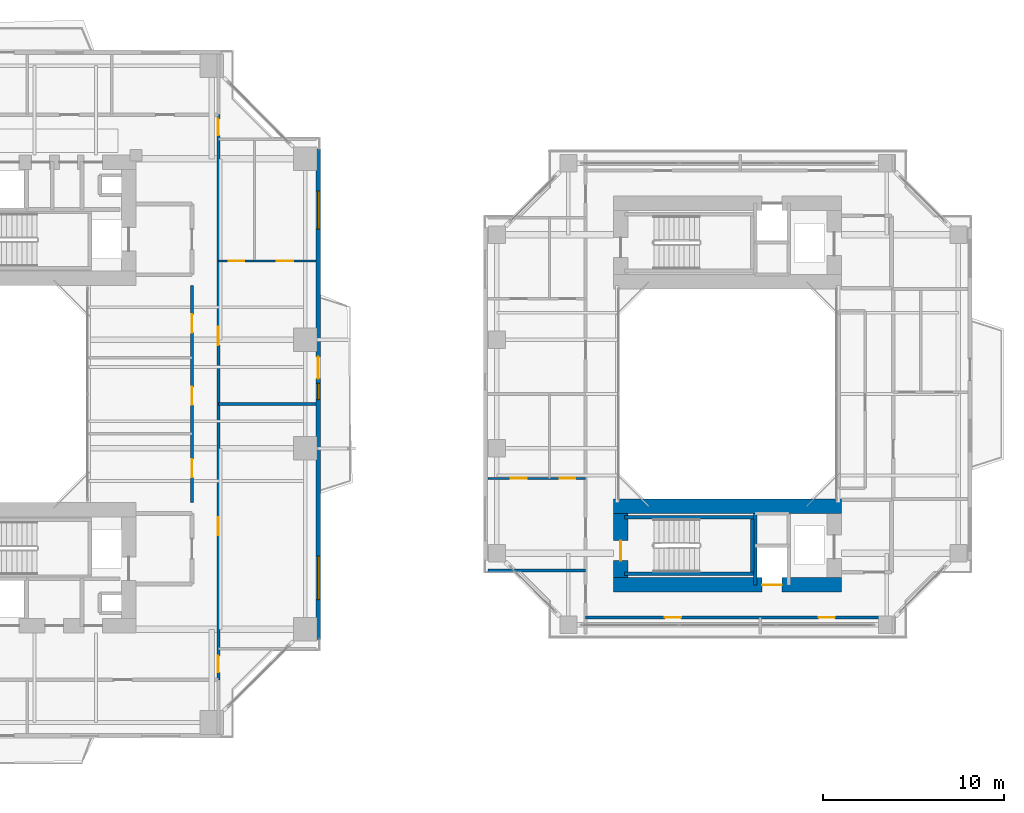
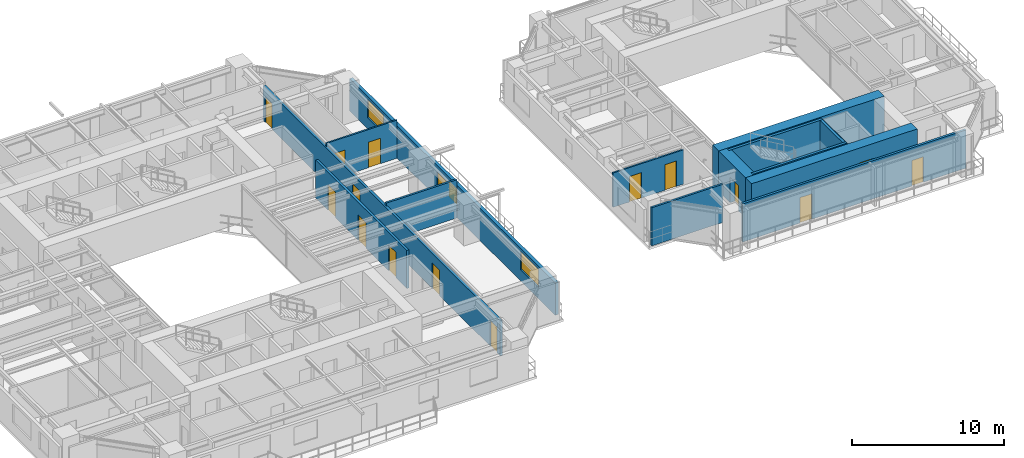
# One storey, part 15 of 23: 16 doors, 15 walls, 3 windows, 19 openings.
"""IFC4 building model written with IfcOpenShell, lengths in metres."""

from ifc_helpers import new_model, si_unit, direction, frame, frame_2d, origin, place, context, subcontext, project, spatial, rectangle, extrude, source, transform, mapped, material, layer, layer_set, type_object, element, fill, save


model = new_model("IFC4")

# Units and contexts
model_context = context("Model", 3, precision=1e-05, world=origin(), true_north=direction((0.0, 1.0)))
body_context = subcontext(model_context, "Body", "Model", "MODEL_VIEW")
ifc_project = project(units=[si_unit("LENGTHUNIT", "METRE"), si_unit("AREAUNIT", "SQUARE_METRE"), si_unit("VOLUMEUNIT", "CUBIC_METRE"), si_unit("PLANEANGLEUNIT", "RADIAN"), si_unit("MASSUNIT", "GRAM", prefix="KILO"), si_unit("THERMODYNAMICTEMPERATUREUNIT", "KELVIN"), si_unit("POWERUNIT", "WATT")], contexts=[model_context])

# Site, building, storey
site_placement = place(None, origin())
site = spatial("IfcSite", under=ifc_project, at=site_placement, CompositionType="ELEMENT")
building_placement = place(site_placement, origin())
building = spatial("IfcBuilding", under=site, at=building_placement, Name="Qiaomeng Ring Towers", CompositionType="ELEMENT")
storey_placement = place(building_placement, frame((0.0, 0.0, 60.0)))
storey = spatial("IfcBuildingStorey", under=building, at=storey_placement, Name="L16", CompositionType="ELEMENT", Elevation=60.0)

# Wall, openings, windows, door
ifc_material_1 = material(Name="Precast concrete C40", Category="concrete")
ifc_layer_1 = layer(ifc_material_1, 0.25, Name="Precast concrete C40")
ifc_layer_set_1 = layer_set([ifc_layer_1], Name="Precast concrete C40")
wall_type_1 = type_object("IfcWallType", Name="ARC-WL-EW1", PredefinedType="STANDARD", material=ifc_layer_set_1)
wall_1_placement = place(storey_placement, frame((37.875, 9.449951171875, 0.0), z_axis=(0.0, 0.0, 1.0), x_axis=(0.0, 1.0, 0.0)))
wall_1 = element("IfcWall", 1, at=wall_1_placement, inside=storey, type_object=wall_type_1, Name="L16 Tower 1 E Exterior Wall", PredefinedType="STANDARD", context=body_context, shape_type="SweptSolid", body=[
    extrude(rectangle(XDim=27.10009765625, YDim=0.25, at=frame_2d((13.550048828125, 0.0))), origin(), (0.0, 0.0, 1.0), 2.610107421875),
])
opening_1_placement = place(wall_1_placement, frame((14.39990234375, 0.0, 0.0)))
opening_1 = element("IfcOpeningElement", 2, at=opening_1_placement, cuts=wall_1, Name="Opening BD1", PredefinedType="OPENING", context=body_context, shape_type="SweptSolid", body=[
    extrude(rectangle(XDim=1.199951171875, YDim=2.10009765625, at=frame_2d((0.60009765625, 1.050048828125))), frame((0.0, 0.135009765625, 0.0), z_axis=(0.0, -1.0, 0.0), x_axis=(1.0, 0.0, 0.0)), (0.0, 0.0, 1.0), 0.27001953125),
])
opening_2_placement = place(wall_1_placement, frame((2.18798828125, 0.0, 0.89990234375)))
opening_2 = element("IfcOpeningElement", 3, at=opening_2_placement, cuts=wall_1, Name="Opening WN6", PredefinedType="OPENING", context=body_context, shape_type="SweptSolid", body=[
    extrude(rectangle(XDim=2.39990234375, YDim=1.47998046875, at=frame_2d((1.199951171875, 0.739990234375))), frame((0.0, 0.135009765625, 0.0), z_axis=(0.0, -1.0, 0.0), x_axis=(1.0, 0.0, 0.0)), (0.0, 0.0, 1.0), 0.27001953125),
])
opening_3_placement = place(wall_1_placement, frame((22.6630859375, 0.0, 0.89990234375)))
opening_3 = element("IfcOpeningElement", 4, at=opening_3_placement, cuts=wall_1, Name="Opening WN4", PredefinedType="OPENING", context=body_context, shape_type="SweptSolid", body=[
    extrude(rectangle(XDim=2.10009765625, YDim=1.47998046875, at=frame_2d((1.050048828125, 0.739990234375))), frame((0.0, 0.135009765625, 0.0), z_axis=(0.0, -1.0, 0.0), x_axis=(1.0, 0.0, 0.0)), (0.0, 0.0, 1.0), 0.27001953125),
])
opening_4_placement = place(wall_1_placement, frame((13.235107421875, 0.0, 0.89990234375)))
opening_4 = element("IfcOpeningElement", 5, at=opening_4_placement, cuts=wall_1, Name="Opening WN5", PredefinedType="OPENING", context=body_context, shape_type="SweptSolid", body=[
    extrude(rectangle(XDim=0.89990234375, YDim=1.199951171875, at=frame_2d((0.449951171875, 0.60009765625))), frame((0.0, 0.135009765625, 0.0), z_axis=(0.0, -1.0, 0.0), x_axis=(1.0, 0.0, 0.0)), (0.0, 0.0, 1.0), 0.27001953125),
])
ifc_material_2 = material(Name="Low-E dark-grey laminated double glazing", Category="glass")
window_type_1 = type_object("IfcWindowType", Name="ARC-WN-4", PartitioningType="TRIPLE_PANEL_VERTICAL", PredefinedType="WINDOW", material=ifc_material_2)
shared_shape_1 = source(origin(), body_context, "Body", "SweptSolid", [
    extrude(rectangle(XDim=2.10009765625, YDim=1.47998046875, at=frame_2d((1.050048828125, 0.739990234375))), frame((0.0, 0.030029296875, 0.0), z_axis=(0.0, -1.0, 0.0), x_axis=(1.0, 0.0, 0.0)), (0.0, 0.0, 1.0), 0.06005859375),
])
window_1_placement = place(opening_3_placement, origin())
window_1 = element("IfcWindow", 6, at=window_1_placement, inside=storey, type_object=window_type_1, Name="L16 Exterior Window WN4", OverallHeight=1.47998046875, OverallWidth=2.10009765625, PartitioningType="TRIPLE_PANEL_VERTICAL", PredefinedType="WINDOW", context=body_context, shape_type="MappedRepresentation", body=[
    mapped(shared_shape_1, transform((0.0, 0.0, 0.0), x_axis=(1.0, 0.0, 0.0), y_axis=(0.0, 1.0, 0.0), z_axis=(0.0, 0.0, 1.0), scale=1.0)),
])
fill(opening_3, window_1)
window_type_2 = type_object("IfcWindowType", Name="ARC-WN-6", PartitioningType="TRIPLE_PANEL_VERTICAL", PredefinedType="WINDOW", material=ifc_material_2)
shared_shape_2 = source(origin(), body_context, "Body", "SweptSolid", [
    extrude(rectangle(XDim=2.39990234375, YDim=1.47998046875, at=frame_2d((1.199951171875, 0.739990234375))), frame((0.0, 0.030029296875, 0.0), z_axis=(0.0, -1.0, 0.0), x_axis=(1.0, 0.0, 0.0)), (0.0, 0.0, 1.0), 0.06005859375),
])
window_2_placement = place(opening_2_placement, origin())
window_2 = element("IfcWindow", 7, at=window_2_placement, inside=storey, type_object=window_type_2, Name="L16 Exterior Window WN6", OverallHeight=1.47998046875, OverallWidth=2.39990234375, PartitioningType="TRIPLE_PANEL_VERTICAL", PredefinedType="WINDOW", context=body_context, shape_type="MappedRepresentation", body=[
    mapped(shared_shape_2, transform((0.0, 0.0, 0.0), x_axis=(1.0, 0.0, 0.0), y_axis=(0.0, 1.0, 0.0), z_axis=(0.0, 0.0, 1.0), scale=1.0)),
])
fill(opening_2, window_2)
door_type_1 = type_object("IfcDoorType", Name="ARC-DR-BD1", OperationType="NOTDEFINED", PredefinedType="DOOR", material=ifc_material_2)
shared_shape_3 = source(origin(), body_context, "Body", "SweptSolid", [
    extrude(rectangle(XDim=1.199951171875, YDim=2.10009765625, at=frame_2d((0.60009765625, 1.050048828125))), frame((0.0, 0.02490234375, 0.0), z_axis=(0.0, -1.0, 0.0), x_axis=(1.0, 0.0, 0.0)), (0.0, 0.0, 1.0), 0.050048828125),
])
door_1_placement = place(opening_1_placement, origin())
door_1 = element("IfcDoor", 8, at=door_1_placement, inside=storey, type_object=door_type_1, Name="L16 E Balcony Glazed Door", OperationType="SINGLE_SWING_LEFT", OverallHeight=2.10009765625, OverallWidth=1.199951171875, PredefinedType="DOOR", context=body_context, shape_type="MappedRepresentation", body=[
    mapped(shared_shape_3, transform((0.0, 0.0, 0.0), x_axis=(1.0, 0.0, 0.0), y_axis=(0.0, 1.0, 0.0), z_axis=(0.0, 0.0, 1.0), scale=1.0)),
])
fill(opening_1, door_1)
window_type_3 = type_object("IfcWindowType", Name="ARC-WN-5", PartitioningType="SINGLE_PANEL", PredefinedType="WINDOW", material=ifc_material_2)
shared_shape_4 = source(origin(), body_context, "Body", "SweptSolid", [
    extrude(rectangle(XDim=0.89990234375, YDim=1.199951171875, at=frame_2d((0.449951171875, 0.60009765625))), frame((0.0, 0.030029296875, 0.0), z_axis=(0.0, -1.0, 0.0), x_axis=(1.0, 0.0, 0.0)), (0.0, 0.0, 1.0), 0.06005859375),
])
window_3_placement = place(opening_4_placement, origin())
window_3 = element("IfcWindow", 9, at=window_3_placement, inside=storey, type_object=window_type_3, Name="L16 Exterior Window WN5", OverallHeight=1.199951171875, OverallWidth=0.89990234375, PartitioningType="SINGLE_PANEL", PredefinedType="WINDOW", context=body_context, shape_type="MappedRepresentation", body=[
    mapped(shared_shape_4, transform((0.0, 0.0, 0.0), x_axis=(1.0, 0.0, 0.0), y_axis=(0.0, 1.0, 0.0), z_axis=(0.0, 0.0, 1.0), scale=1.0)),
])
fill(opening_4, window_3)

# Wall, openings, doors
ifc_material_3 = material(Name="Autoclaved aerated concrete block", Category="concrete")
ifc_layer_2 = layer(ifc_material_3, 0.179931640625, Name="Autoclaved aerated concrete block")
ifc_layer_set_2 = layer_set([ifc_layer_2], Name="Autoclaved aerated concrete block")
wall_type_2 = type_object("IfcWallType", Name="ARC-WL-PW2", PredefinedType="PARTITIONING", material=ifc_layer_set_2)
wall_2_placement = place(storey_placement, frame((32.360107421875, 7.2099609375, 0.0), z_axis=(0.0, 0.0, 1.0), x_axis=(0.0, 1.0, 0.0)))
wall_2 = element("IfcWall", 10, at=wall_2_placement, inside=storey, type_object=wall_type_2, Name="L16 Interior Wall PW2", PredefinedType="PARTITIONING", context=body_context, shape_type="SweptSolid", body=[
    extrude(rectangle(XDim=31.22998046875, YDim=0.179931640625, at=frame_2d((15.614990234375, 0.0))), origin(), (0.0, 0.0, 1.0), 2.821044921875),
])
opening_5_placement = place(wall_2_placement, frame((30.090087890625, 0.0, 0.0)))
opening_5 = element("IfcOpeningElement", 11, at=opening_5_placement, cuts=wall_2, Name="Opening ID1", PredefinedType="OPENING", context=body_context, shape_type="SweptSolid", body=[
    extrude(rectangle(XDim=0.89990234375, YDim=2.050048828125, at=frame_2d((0.449951171875, 1.02490234375))), frame((0.0, 0.099853515625, 0.0), z_axis=(0.0, -1.0, 0.0), x_axis=(1.0, 0.0, 0.0)), (0.0, 0.0, 1.0), 0.199951171875),
])
opening_6_placement = place(wall_2_placement, frame((0.4150390625, 0.0, 0.0)))
opening_6 = element("IfcOpeningElement", 12, at=opening_6_placement, cuts=wall_2, Name="Opening ID1", PredefinedType="OPENING", context=body_context, shape_type="SweptSolid", body=[
    extrude(rectangle(XDim=0.89990234375, YDim=2.050048828125, at=frame_2d((0.449951171875, 1.02490234375))), frame((0.0, 0.099853515625, 0.0), z_axis=(0.0, -1.0, 0.0), x_axis=(1.0, 0.0, 0.0)), (0.0, 0.0, 1.0), 0.199951171875),
])
opening_7_placement = place(wall_2_placement, frame((7.97509765625, 0.0, 0.0)))
opening_7 = element("IfcOpeningElement", 13, at=opening_7_placement, cuts=wall_2, Name="Opening FD4", PredefinedType="OPENING", context=body_context, shape_type="SweptSolid", body=[
    extrude(rectangle(XDim=1.0, YDim=2.050048828125, at=frame_2d((0.5, 1.02490234375))), frame((0.0, 0.099853515625, 0.0), z_axis=(0.0, -1.0, 0.0), x_axis=(1.0, 0.0, 0.0)), (0.0, 0.0, 1.0), 0.199951171875),
])
opening_8_placement = place(wall_2_placement, frame((18.5, 0.0, 0.0)))
opening_8 = element("IfcOpeningElement", 14, at=opening_8_placement, cuts=wall_2, Name="Opening FD4", PredefinedType="OPENING", context=body_context, shape_type="SweptSolid", body=[
    extrude(rectangle(XDim=1.0, YDim=2.050048828125, at=frame_2d((0.5, 1.02490234375))), frame((0.0, 0.099853515625, 0.0), z_axis=(0.0, -1.0, 0.0), x_axis=(1.0, 0.0, 0.0)), (0.0, 0.0, 1.0), 0.199951171875),
])
ifc_material_4 = material(Name="Engineered fire-rated oak timber", Category="wood")
door_type_2 = type_object("IfcDoorType", Name="ARC-DR-FD4", OperationType="NOTDEFINED", PredefinedType="DOOR", material=ifc_material_4)
shared_shape_5 = source(origin(), body_context, "Body", "SweptSolid", [
    extrude(rectangle(XDim=1.0, YDim=2.050048828125, at=frame_2d((0.5, 1.02490234375))), frame((0.0, 0.02490234375, 0.0), z_axis=(0.0, -1.0, 0.0), x_axis=(1.0, 0.0, 0.0)), (0.0, 0.0, 1.0), 0.050048828125),
])
door_2_placement = place(opening_7_placement, origin())
door_2 = element("IfcDoor", 15, at=door_2_placement, inside=storey, type_object=door_type_2, Name="L16 Door FD4", OperationType="SINGLE_SWING_RIGHT", OverallHeight=2.050048828125, OverallWidth=1.0, PredefinedType="DOOR", context=body_context, shape_type="MappedRepresentation", body=[
    mapped(shared_shape_5, transform((0.0, 0.0, 0.0), x_axis=(1.0, 0.0, 0.0), y_axis=(0.0, 1.0, 0.0), z_axis=(0.0, 0.0, 1.0), scale=1.0)),
])
fill(opening_7, door_2)
door_3_placement = place(opening_8_placement, origin())
door_3 = element("IfcDoor", 16, at=door_3_placement, inside=storey, type_object=door_type_2, Name="L16 Door FD4", OperationType="SINGLE_SWING_LEFT", OverallHeight=2.050048828125, OverallWidth=1.0, PredefinedType="DOOR", context=body_context, shape_type="MappedRepresentation", body=[
    mapped(shared_shape_5, transform((0.0, 0.0, 0.0), x_axis=(1.0, 0.0, 0.0), y_axis=(0.0, 1.0, 0.0), z_axis=(0.0, 0.0, 1.0), scale=1.0)),
])
fill(opening_8, door_3)
ifc_material_5 = material(Name="Engineered oak timber", Category="wood")
door_type_3 = type_object("IfcDoorType", Name="ARC-DR-ID1", OperationType="NOTDEFINED", PredefinedType="DOOR", material=ifc_material_5)
shared_shape_6 = source(origin(), body_context, "Body", "SweptSolid", [
    extrude(rectangle(XDim=0.89990234375, YDim=2.050048828125, at=frame_2d((0.449951171875, 1.02490234375))), frame((0.0, 0.02490234375, 0.0), z_axis=(0.0, -1.0, 0.0), x_axis=(1.0, 0.0, 0.0)), (0.0, 0.0, 1.0), 0.050048828125),
])
door_4_placement = place(opening_5_placement, origin())
door_4 = element("IfcDoor", 17, at=door_4_placement, inside=storey, type_object=door_type_3, Name="L16 Door ID1", OperationType="SINGLE_SWING_RIGHT", OverallHeight=2.050048828125, OverallWidth=0.89990234375, PredefinedType="DOOR", context=body_context, shape_type="MappedRepresentation", body=[
    mapped(shared_shape_6, transform((0.0, 0.0, 0.0), x_axis=(1.0, 0.0, 0.0), y_axis=(0.0, 1.0, 0.0), z_axis=(0.0, 0.0, 1.0), scale=1.0)),
])
fill(opening_5, door_4)
door_5_placement = place(opening_6_placement, origin())
door_5 = element("IfcDoor", 18, at=door_5_placement, inside=storey, type_object=door_type_3, Name="L16 Door ID1", OperationType="SINGLE_SWING_LEFT", OverallHeight=2.050048828125, OverallWidth=0.89990234375, PredefinedType="DOOR", context=body_context, shape_type="MappedRepresentation", body=[
    mapped(shared_shape_6, transform((0.0, 0.0, 0.0), x_axis=(1.0, 0.0, 0.0), y_axis=(0.0, 1.0, 0.0), z_axis=(0.0, 0.0, 1.0), scale=1.0)),
])
fill(opening_6, door_5)

wall_3_placement = place(storey_placement, frame((30.89990234375, 17.0, 0.0), z_axis=(0.0, 0.0, 1.0), x_axis=(0.0, 1.0, 0.0)))
wall_3 = element("IfcWall", 19, at=wall_3_placement, inside=storey, type_object=wall_type_2, Name="L16 Interior Wall PW2", PredefinedType="PARTITIONING", context=body_context, shape_type="SweptSolid", body=[
    extrude(rectangle(XDim=12.0, YDim=0.179931640625, at=frame_2d((6.0, 0.0))), origin(), (0.0, 0.0, 1.0), 3.070068359375),
])
opening_9_placement = place(wall_3_placement, frame((1.39990234375, 0.0, 0.0)))
opening_9 = element("IfcOpeningElement", 20, at=opening_9_placement, cuts=wall_3, Name="Opening FD4", PredefinedType="OPENING", context=body_context, shape_type="SweptSolid", body=[
    extrude(rectangle(XDim=1.0, YDim=2.050048828125, at=frame_2d((0.5, 1.02490234375))), frame((0.0, 0.099853515625, 0.0), z_axis=(0.0, -1.0, 0.0), x_axis=(1.0, 0.0, 0.0)), (0.0, 0.0, 1.0), 0.199951171875),
])
opening_10_placement = place(wall_3_placement, frame((5.39990234375, 0.0, 0.0)))
opening_10 = element("IfcOpeningElement", 21, at=opening_10_placement, cuts=wall_3, Name="Opening FD4", PredefinedType="OPENING", context=body_context, shape_type="SweptSolid", body=[
    extrude(rectangle(XDim=1.0, YDim=2.050048828125, at=frame_2d((0.5, 1.02490234375))), frame((0.0, 0.099853515625, 0.0), z_axis=(0.0, -1.0, 0.0), x_axis=(1.0, 0.0, 0.0)), (0.0, 0.0, 1.0), 0.199951171875),
])
opening_11_placement = place(wall_3_placement, frame((9.39990234375, 0.0, 0.0)))
opening_11 = element("IfcOpeningElement", 22, at=opening_11_placement, cuts=wall_3, Name="Opening FD4", PredefinedType="OPENING", context=body_context, shape_type="SweptSolid", body=[
    extrude(rectangle(XDim=1.0, YDim=2.050048828125, at=frame_2d((0.5, 1.02490234375))), frame((0.0, 0.099853515625, 0.0), z_axis=(0.0, -1.0, 0.0), x_axis=(1.0, 0.0, 0.0)), (0.0, 0.0, 1.0), 0.199951171875),
])
door_6_placement = place(opening_9_placement, origin())
door_6 = element("IfcDoor", 23, at=door_6_placement, inside=storey, type_object=door_type_2, Name="L16 Door FD4", OperationType="SINGLE_SWING_RIGHT", OverallHeight=2.050048828125, OverallWidth=1.0, PredefinedType="DOOR", context=body_context, shape_type="MappedRepresentation", body=[
    mapped(shared_shape_5, transform((0.0, 0.0, 0.0), x_axis=(1.0, 0.0, 0.0), y_axis=(0.0, 1.0, 0.0), z_axis=(0.0, 0.0, 1.0), scale=1.0)),
])
fill(opening_9, door_6)
door_7_placement = place(opening_10_placement, origin())
door_7 = element("IfcDoor", 24, at=door_7_placement, inside=storey, type_object=door_type_2, Name="L16 Door FD4", OperationType="SINGLE_SWING_LEFT", OverallHeight=2.050048828125, OverallWidth=1.0, PredefinedType="DOOR", context=body_context, shape_type="MappedRepresentation", body=[
    mapped(shared_shape_5, transform((0.0, 0.0, 0.0), x_axis=(1.0, 0.0, 0.0), y_axis=(0.0, 1.0, 0.0), z_axis=(0.0, 0.0, 1.0), scale=1.0)),
])
fill(opening_10, door_7)
door_8_placement = place(opening_11_placement, origin())
door_8 = element("IfcDoor", 25, at=door_8_placement, inside=storey, type_object=door_type_2, Name="L16 Door FD4", OperationType="SINGLE_SWING_RIGHT", OverallHeight=2.050048828125, OverallWidth=1.0, PredefinedType="DOOR", context=body_context, shape_type="MappedRepresentation", body=[
    mapped(shared_shape_5, transform((0.0, 0.0, 0.0), x_axis=(1.0, 0.0, 0.0), y_axis=(0.0, 1.0, 0.0), z_axis=(0.0, 0.0, 1.0), scale=1.0)),
])
fill(opening_11, door_8)

wall_4_placement = place(storey_placement, frame((52.64990234375, 10.64990234375, 0.0), z_axis=(0.0, 0.0, 1.0), x_axis=(1.0, 0.0, 0.0)))
wall_4 = element("IfcWall", 26, at=wall_4_placement, inside=storey, type_object=wall_type_2, Name="L16 Interior Wall PW2", PredefinedType="PARTITIONING", context=body_context, shape_type="SweptSolid", body=[
    extrude(rectangle(XDim=17.0, YDim=0.179931640625, at=frame_2d((8.5, 0.0))), origin(), (0.0, 0.0, 1.0), 3.070068359375),
])
opening_12_placement = place(wall_4_placement, frame((4.375, 0.0, 0.0)))
opening_12 = element("IfcOpeningElement", 27, at=opening_12_placement, cuts=wall_4, Name="Opening ID1", PredefinedType="OPENING", context=body_context, shape_type="SweptSolid", body=[
    extrude(rectangle(XDim=0.89990234375, YDim=2.050048828125, at=frame_2d((0.449951171875, 1.02490234375))), frame((0.0, 0.099853515625, 0.0), z_axis=(0.0, -1.0, 0.0), x_axis=(1.0, 0.0, 0.0)), (0.0, 0.0, 1.0), 0.199951171875),
])
opening_13_placement = place(wall_4_placement, frame((12.875, 0.0, 0.0)))
opening_13 = element("IfcOpeningElement", 28, at=opening_13_placement, cuts=wall_4, Name="Opening ID1", PredefinedType="OPENING", context=body_context, shape_type="SweptSolid", body=[
    extrude(rectangle(XDim=0.89990234375, YDim=2.050048828125, at=frame_2d((0.449951171875, 1.02490234375))), frame((0.0, 0.099853515625, 0.0), z_axis=(0.0, -1.0, 0.0), x_axis=(1.0, 0.0, 0.0)), (0.0, 0.0, 1.0), 0.199951171875),
])
door_9_placement = place(opening_12_placement, origin())
door_9 = element("IfcDoor", 29, at=door_9_placement, inside=storey, type_object=door_type_3, Name="L16 Door ID1", OperationType="SINGLE_SWING_LEFT", OverallHeight=2.050048828125, OverallWidth=0.89990234375, PredefinedType="DOOR", context=body_context, shape_type="MappedRepresentation", body=[
    mapped(shared_shape_6, transform((0.0, 0.0, 0.0), x_axis=(1.0, 0.0, 0.0), y_axis=(0.0, 1.0, 0.0), z_axis=(0.0, 0.0, 1.0), scale=1.0)),
])
fill(opening_12, door_9)
door_10_placement = place(opening_13_placement, origin())
door_10 = element("IfcDoor", 30, at=door_10_placement, inside=storey, type_object=door_type_3, Name="L16 Door ID1", OperationType="SINGLE_SWING_RIGHT", OverallHeight=2.050048828125, OverallWidth=0.89990234375, PredefinedType="DOOR", context=body_context, shape_type="MappedRepresentation", body=[
    mapped(shared_shape_6, transform((0.0, 0.0, 0.0), x_axis=(1.0, 0.0, 0.0), y_axis=(0.0, 1.0, 0.0), z_axis=(0.0, 0.0, 1.0), scale=1.0)),
])
fill(opening_13, door_10)

# Walls
ifc_material_6 = material(Name="Gypsum fireboard steel-stud partition", Category="steel")
ifc_layer_3 = layer(ifc_material_6, 0.14990234375, Name="Gypsum fireboard steel-stud partition")
ifc_layer_set_3 = layer_set([ifc_layer_3], Name="Gypsum fireboard steel-stud partition")
wall_type_3 = type_object("IfcWallType", Name="ARC-WL-PW3", PredefinedType="PARTITIONING", material=ifc_layer_set_3)
wall_5_placement = place(storey_placement, frame((32.360107421875, 22.449951171875, 0.0), z_axis=(0.0, 0.0, 1.0), x_axis=(1.0, 0.0, 0.0)))
element("IfcWall", 31, at=wall_5_placement, inside=storey, type_object=wall_type_3, Name="L16 Interior Wall PW3", PredefinedType="PARTITIONING", context=body_context, shape_type="SweptSolid", body=[
    extrude(rectangle(XDim=5.389892578125, YDim=0.14990234375, at=frame_2d((2.69482421875, 0.0))), origin(), (0.0, 0.0, 1.0), 3.070068359375),
])
wall_6_placement = place(storey_placement, frame((47.25, 13.25, 0.0), z_axis=(0.0, 0.0, 1.0), x_axis=(1.0, 0.0, 0.0)))
element("IfcWall", 32, at=wall_6_placement, inside=storey, type_object=wall_type_3, Name="L16 Interior Wall PW3", PredefinedType="PARTITIONING", context=body_context, shape_type="SweptSolid", body=[
    extrude(rectangle(XDim=5.39990234375, YDim=0.14990234375, at=frame_2d((2.699951171875, 0.0))), origin(), (0.0, 0.0, 1.0), 3.070068359375),
])

# Wall, openings, doors
ifc_material_7 = material(Name="Moisture-resistant gypsum steel-stud partition", Category="steel")
ifc_layer_4 = layer(ifc_material_7, 0.1201171875, Name="Moisture-resistant gypsum steel-stud partition")
ifc_layer_set_4 = layer_set([ifc_layer_4], Name="Moisture-resistant gypsum steel-stud partition")
wall_type_4 = type_object("IfcWallType", Name="ARC-WL-PW4", PredefinedType="PLUMBINGWALL", material=ifc_layer_set_4)
wall_7_placement = place(storey_placement, frame((32.360107421875, 30.35009765625, 0.0), z_axis=(0.0, 0.0, 1.0), x_axis=(1.0, 0.0, 0.0)))
wall_7 = element("IfcWall", 33, at=wall_7_placement, inside=storey, type_object=wall_type_4, Name="L16 Interior Wall PW4", PredefinedType="PLUMBINGWALL", context=body_context, shape_type="SweptSolid", body=[
    extrude(rectangle(XDim=5.389892578125, YDim=0.1201171875, at=frame_2d((2.69482421875, 0.0))), origin(), (0.0, 0.0, 1.0), 3.070068359375),
])
opening_14_placement = place(wall_7_placement, frame((0.580078125, 0.0, 0.0)))
opening_14 = element("IfcOpeningElement", 34, at=opening_14_placement, cuts=wall_7, Name="Opening ID2", PredefinedType="OPENING", context=body_context, shape_type="SweptSolid", body=[
    extrude(rectangle(XDim=0.85009765625, YDim=2.050048828125, at=frame_2d((0.425048828125, 1.02490234375))), frame((0.0, 0.070068359375, 0.0), z_axis=(0.0, -1.0, 0.0), x_axis=(1.0, 0.0, 0.0)), (0.0, 0.0, 1.0), 0.14013671875),
])
opening_15_placement = place(wall_7_placement, frame((3.22998046875, 0.0, 0.0)))
opening_15 = element("IfcOpeningElement", 35, at=opening_15_placement, cuts=wall_7, Name="Opening ID1", PredefinedType="OPENING", context=body_context, shape_type="SweptSolid", body=[
    extrude(rectangle(XDim=0.89990234375, YDim=2.050048828125, at=frame_2d((0.449951171875, 1.02490234375))), frame((0.0, 0.070068359375, 0.0), z_axis=(0.0, -1.0, 0.0), x_axis=(1.0, 0.0, 0.0)), (0.0, 0.0, 1.0), 0.14013671875),
])
ifc_material_8 = material(Name="Moisture-resistant engineered timber", Category="wood")
door_type_4 = type_object("IfcDoorType", Name="ARC-DR-ID2", OperationType="NOTDEFINED", PredefinedType="DOOR", material=ifc_material_8)
shared_shape_7 = source(origin(), body_context, "Body", "SweptSolid", [
    extrude(rectangle(XDim=0.85009765625, YDim=2.050048828125, at=frame_2d((0.425048828125, 1.02490234375))), frame((0.0, 0.02490234375, 0.0), z_axis=(0.0, -1.0, 0.0), x_axis=(1.0, 0.0, 0.0)), (0.0, 0.0, 1.0), 0.050048828125),
])
door_11_placement = place(opening_14_placement, origin())
door_11 = element("IfcDoor", 36, at=door_11_placement, inside=storey, type_object=door_type_4, Name="L16 Door ID2", OperationType="SINGLE_SWING_LEFT", OverallHeight=2.050048828125, OverallWidth=0.85009765625, PredefinedType="DOOR", context=body_context, shape_type="MappedRepresentation", body=[
    mapped(shared_shape_7, transform((0.0, 0.0, 0.0), x_axis=(1.0, 0.0, 0.0), y_axis=(0.0, 1.0, 0.0), z_axis=(0.0, 0.0, 1.0), scale=1.0)),
])
fill(opening_14, door_11)
door_12_placement = place(opening_15_placement, origin())
door_12 = element("IfcDoor", 37, at=door_12_placement, inside=storey, type_object=door_type_3, Name="L16 Door ID1", OperationType="SINGLE_SWING_RIGHT", OverallHeight=2.050048828125, OverallWidth=0.89990234375, PredefinedType="DOOR", context=body_context, shape_type="MappedRepresentation", body=[
    mapped(shared_shape_6, transform((0.0, 0.0, 0.0), x_axis=(1.0, 0.0, 0.0), y_axis=(0.0, 1.0, 0.0), z_axis=(0.0, 0.0, 1.0), scale=1.0)),
])
fill(opening_15, door_12)

wall_8_placement = place(storey_placement, frame((47.25, 18.340087890625, 0.0), z_axis=(0.0, 0.0, 1.0), x_axis=(1.0, 0.0, 0.0)))
wall_8 = element("IfcWall", 38, at=wall_8_placement, inside=storey, type_object=wall_type_4, Name="L16 Interior Wall PW4", PredefinedType="PLUMBINGWALL", context=body_context, shape_type="SweptSolid", body=[
    extrude(rectangle(XDim=5.39990234375, YDim=0.1201171875, at=frame_2d((2.699951171875, 0.0))), origin(), (0.0, 0.0, 1.0), 2.764892578125),
])
opening_16_placement = place(wall_8_placement, frame((1.260009765625, 0.0, 0.0)))
opening_16 = element("IfcOpeningElement", 39, at=opening_16_placement, cuts=wall_8, Name="Opening ID1", PredefinedType="OPENING", context=body_context, shape_type="SweptSolid", body=[
    extrude(rectangle(XDim=0.89990234375, YDim=2.050048828125, at=frame_2d((0.449951171875, 1.02490234375))), frame((0.0, 0.070068359375, 0.0), z_axis=(0.0, -1.0, 0.0), x_axis=(1.0, 0.0, 0.0)), (0.0, 0.0, 1.0), 0.14013671875),
])
opening_17_placement = place(wall_8_placement, frame((3.965087890625, 0.0, 0.0)))
opening_17 = element("IfcOpeningElement", 40, at=opening_17_placement, cuts=wall_8, Name="Opening ID2", PredefinedType="OPENING", context=body_context, shape_type="SweptSolid", body=[
    extrude(rectangle(XDim=0.85009765625, YDim=2.050048828125, at=frame_2d((0.425048828125, 1.02490234375))), frame((0.0, 0.070068359375, 0.0), z_axis=(0.0, -1.0, 0.0), x_axis=(1.0, 0.0, 0.0)), (0.0, 0.0, 1.0), 0.14013671875),
])
door_13_placement = place(opening_17_placement, origin())
door_13 = element("IfcDoor", 41, at=door_13_placement, inside=storey, type_object=door_type_4, Name="L16 Door ID2", OperationType="SINGLE_SWING_RIGHT", OverallHeight=2.050048828125, OverallWidth=0.85009765625, PredefinedType="DOOR", context=body_context, shape_type="MappedRepresentation", body=[
    mapped(shared_shape_7, transform((0.0, 0.0, 0.0), x_axis=(1.0, 0.0, 0.0), y_axis=(0.0, 1.0, 0.0), z_axis=(0.0, 0.0, 1.0), scale=1.0)),
])
fill(opening_17, door_13)
door_14_placement = place(opening_16_placement, origin())
door_14 = element("IfcDoor", 42, at=door_14_placement, inside=storey, type_object=door_type_3, Name="L16 Door ID1", OperationType="SINGLE_SWING_LEFT", OverallHeight=2.050048828125, OverallWidth=0.89990234375, PredefinedType="DOOR", context=body_context, shape_type="MappedRepresentation", body=[
    mapped(shared_shape_6, transform((0.0, 0.0, 0.0), x_axis=(1.0, 0.0, 0.0), y_axis=(0.0, 1.0, 0.0), z_axis=(0.0, 0.0, 1.0), scale=1.0)),
])
fill(opening_16, door_14)

# Walls
ifc_material_9 = material(Name="Concrete C40", Category="concrete")
ifc_layer_5 = layer(ifc_material_9, 0.199951171875, Name="Concrete C40")
ifc_layer_set_5 = layer_set([ifc_layer_5], Name="Concrete C40")
wall_type_5 = type_object("IfcWallType", Name="STR-WL-STSHAFT", PredefinedType="SHEAR", material=ifc_layer_set_5)
wall_9_placement = place(storey_placement, frame((62.02001953125, 12.449951171875, 0.0), z_axis=(0.0, 0.0, 1.0), x_axis=(0.0, 1.0, 0.0)))
element("IfcWall", 43, at=wall_9_placement, inside=storey, type_object=wall_type_5, Name="L16 Companion Lift Shaft West Wall S", PredefinedType="SHEAR", context=body_context, shape_type="SweptSolid", body=[
    extrude(rectangle(XDim=3.949951171875, YDim=0.179931640625, at=frame_2d((1.97509765625, 0.0))), origin(), (0.0, 0.0, 1.0), 3.070068359375),
])
for number, where, z_axis, x_axis, name in (
    (44, (54.800048828125, 13.06005859375, 0.0), (0.0, 0.0, 1.0), (1.0, 0.0, 0.0), "L16 Stair ST6 South Shaft Shear Wall"),
    (45, (54.800048828125, 16.199951171875, 0.0), (0.0, 0.0, 1.0), (1.0, 0.0, 0.0), "L16 Stair ST6 North Shaft Shear Wall"),
):
    element("IfcWall", number, at=place(storey_placement, frame(where, z_axis=z_axis, x_axis=x_axis)), inside=storey, type_object=wall_type_5, Name=name, PredefinedType="SHEAR", context=body_context, shape_type="SweptSolid", body=[
        extrude(rectangle(XDim=7.14990234375, YDim=0.199951171875, at=frame_2d((3.574951171875, 0.0))), origin(), (0.0, 0.0, 1.0), 3.25),
    ])
wall_10_placement = place(storey_placement, frame((61.85009765625, 13.159912109375, 0.0), z_axis=(0.0, 0.0, 1.0), x_axis=(0.0, 1.0, 0.0)))
element("IfcWall", 46, at=wall_10_placement, inside=storey, type_object=wall_type_5, Name="L16 Stair ST6 East Shaft Shear Wall", PredefinedType="SHEAR", context=body_context, shape_type="SweptSolid", body=[
    extrude(rectangle(XDim=2.940185546875, YDim=0.199951171875, at=frame_2d((1.47021484375, 0.0))), origin(), (0.0, 0.0, 1.0), 3.25),
])

# Wall, opening, door
ifc_material_10 = material(Name="Concrete C60", Category="concrete")
ifc_layer_6 = layer(ifc_material_10, 0.800048828125, Name="Concrete C60")
ifc_layer_set_6 = layer_set([ifc_layer_6], Name="Concrete C60")
wall_type_6 = type_object("IfcWallType", Name="STR-WL-SW1", PredefinedType="SHEAR", material=ifc_layer_set_6)
wall_11_placement = place(storey_placement, frame((54.199951171875, 12.449951171875, 0.0), z_axis=(0.0, 0.0, 1.0), x_axis=(1.0, 0.0, 0.0)))
wall_11 = element("IfcWall", 47, at=wall_11_placement, inside=storey, type_object=wall_type_6, Name="L16 T2SC south core shear wall", PredefinedType="SHEAR", context=body_context, shape_type="SweptSolid", body=[
    extrude(rectangle(XDim=12.60009765625, YDim=0.800048828125, at=frame_2d((6.300048828125, 0.0))), origin(), (0.0, 0.0, 1.0), 3.25),
])
opening_18_placement = place(wall_11_placement, frame((8.199951171875, 0.0, 0.0)))
opening_18 = element("IfcOpeningElement", 48, at=opening_18_placement, cuts=wall_11, Name="Opening LD1", PredefinedType="OPENING", context=body_context, shape_type="SweptSolid", body=[
    extrude(rectangle(XDim=1.10009765625, YDim=2.050048828125, at=frame_2d((0.550048828125, 1.02490234375))), frame((0.0, 0.409912109375, 0.0), z_axis=(0.0, -1.0, 0.0), x_axis=(1.0, 0.0, 0.0)), (0.0, 0.0, 1.0), 0.820068359375),
])
ifc_material_11 = material(Name="Stainless steel 316", Category="steel")
door_type_5 = type_object("IfcDoorType", Name="ARC-DR-LD1", OperationType="NOTDEFINED", PredefinedType="DOOR", material=ifc_material_11)
shared_shape_8 = source(origin(), body_context, "Body", "SweptSolid", [
    extrude(rectangle(XDim=1.10009765625, YDim=2.050048828125, at=frame_2d((0.550048828125, 1.02490234375))), frame((0.0, 0.02490234375, 0.0), z_axis=(0.0, -1.0, 0.0), x_axis=(1.0, 0.0, 0.0)), (0.0, 0.0, 1.0), 0.050048828125),
])
door_15_placement = place(opening_18_placement, origin())
door_15 = element("IfcDoor", 49, at=door_15_placement, inside=storey, type_object=door_type_5, Name="L16 Companion Lift LP8 Landing Door", OperationType="SLIDING_TO_RIGHT", OverallHeight=2.050048828125, OverallWidth=1.10009765625, PredefinedType="DOOR", context=body_context, shape_type="MappedRepresentation", body=[
    mapped(shared_shape_8, transform((0.0, 0.0, 0.0), x_axis=(1.0, 0.0, 0.0), y_axis=(0.0, 1.0, 0.0), z_axis=(0.0, 0.0, 1.0), scale=1.0)),
])
fill(opening_18, door_15)

# Wall
wall_12_placement = place(storey_placement, frame((54.199951171875, 16.800048828125, 0.0), z_axis=(0.0, 0.0, 1.0), x_axis=(1.0, 0.0, 0.0)))
element("IfcWall", 50, at=wall_12_placement, inside=storey, type_object=wall_type_6, Name="L16 T2SC north core shear wall", PredefinedType="SHEAR", context=body_context, shape_type="SweptSolid", body=[
    extrude(rectangle(XDim=12.60009765625, YDim=0.800048828125, at=frame_2d((6.300048828125, 0.0))), origin(), (0.0, 0.0, 1.0), 3.25),
])

# Wall, opening, door
wall_13_placement = place(storey_placement, frame((54.60009765625, 12.85009765625, 0.0), z_axis=(0.0, 0.0, 1.0), x_axis=(0.0, 1.0, 0.0)))
wall_13 = element("IfcWall", 51, at=wall_13_placement, inside=storey, type_object=wall_type_6, Name="L16 T2SC west core shear wall", PredefinedType="SHEAR", context=body_context, shape_type="SweptSolid", body=[
    extrude(rectangle(XDim=3.5498046875, YDim=0.800048828125, at=frame_2d((1.77490234375, 0.0))), origin(), (0.0, 0.0, 1.0), 3.25),
])
opening_19_placement = place(wall_13_placement, frame((0.949951171875, 0.0, 0.0)))
opening_19 = element("IfcOpeningElement", 52, at=opening_19_placement, cuts=wall_13, Name="Opening FD3", PredefinedType="OPENING", context=body_context, shape_type="SweptSolid", body=[
    extrude(rectangle(XDim=1.10009765625, YDim=2.050048828125, at=frame_2d((0.550048828125, 1.02490234375))), frame((0.0, 0.409912109375, 0.0), z_axis=(0.0, -1.0, 0.0), x_axis=(1.0, 0.0, 0.0)), (0.0, 0.0, 1.0), 0.820068359375),
])
ifc_material_12 = material(Name="Galvanised steel", Category="steel")
door_type_6 = type_object("IfcDoorType", Name="ARC-DR-FD3", OperationType="NOTDEFINED", PredefinedType="DOOR", material=ifc_material_12)
door_16_placement = place(opening_19_placement, origin())
door_16 = element("IfcDoor", 53, at=door_16_placement, inside=storey, type_object=door_type_6, Name="L16 Stair ST6 Exit Door", OperationType="SINGLE_SWING_RIGHT", OverallHeight=2.050048828125, OverallWidth=1.10009765625, PredefinedType="DOOR", context=body_context, shape_type="MappedRepresentation", body=[
    mapped(shared_shape_8, transform((0.0, 0.0, 0.0), x_axis=(1.0, 0.0, 0.0), y_axis=(0.0, 1.0, 0.0), z_axis=(0.0, 0.0, 1.0), scale=1.0)),
])
fill(opening_19, door_16)

save(model, "model.ifc")
